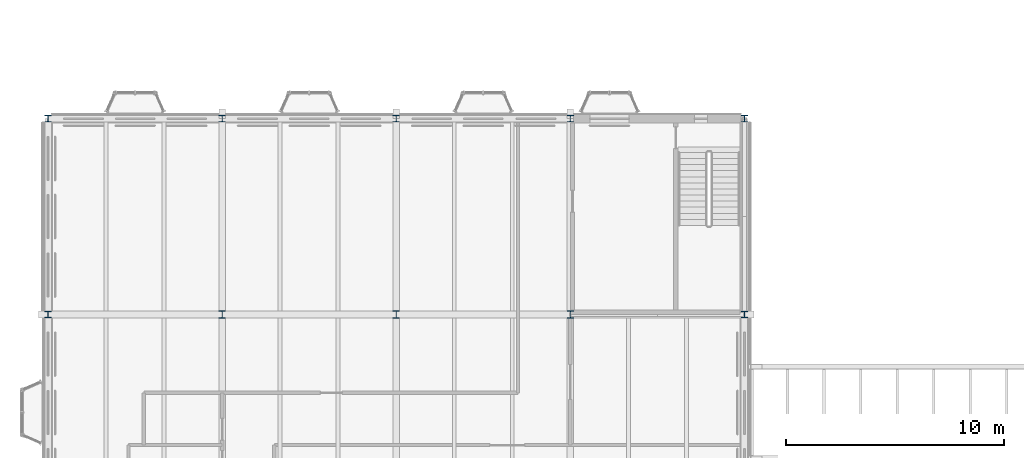
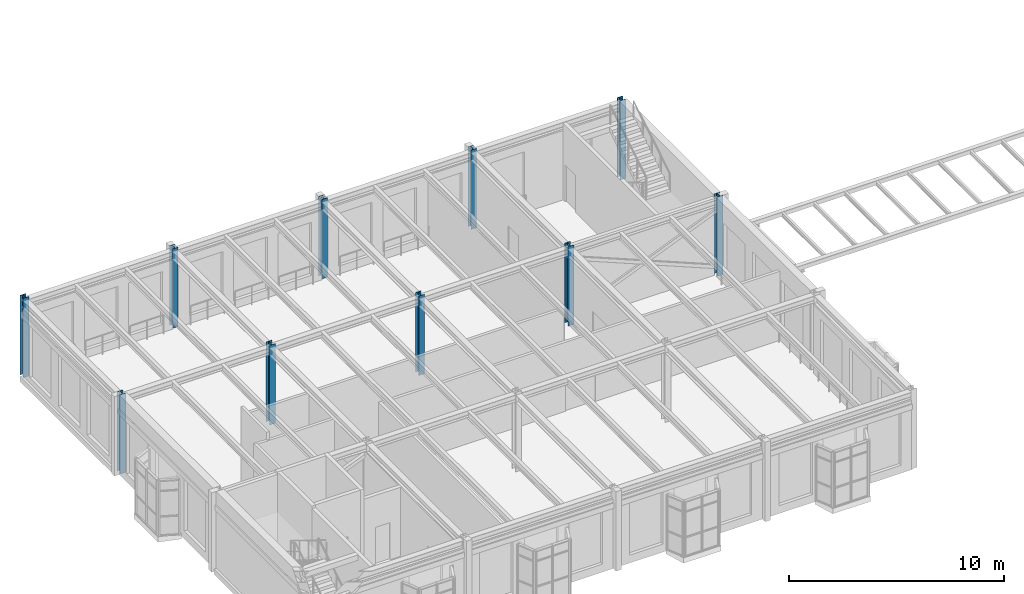
# One storey, part 9 of 153: 10 columns.
"""IFC4 building model written with IfcOpenShell, lengths in metres."""

from ifc_helpers import new_model, si_unit, direction, frame, origin, origin_2d, place, context, subcontext, project, spatial, i_section, extrude, material, material_profile, profile_set, type_object, element, save


model = new_model("IFC4")

# Units and contexts
model_context = context("Model", 3, precision=1e-05, world=origin(), true_north=direction((0.0, 1.0)))
body_context = subcontext(model_context, "Body", "Model", "MODEL_VIEW")
ifc_project = project(units=[si_unit("LENGTHUNIT", "METRE"), si_unit("AREAUNIT", "SQUARE_METRE"), si_unit("VOLUMEUNIT", "CUBIC_METRE"), si_unit("PLANEANGLEUNIT", "RADIAN"), si_unit("MASSUNIT", "GRAM", prefix="KILO")], contexts=[model_context])

# Site, building, storey
site_placement = place(None, origin())
site = spatial("IfcSite", under=ifc_project, at=site_placement, CompositionType="ELEMENT")
building_placement = place(site_placement, origin())
building = spatial("IfcBuilding", under=site, at=building_placement, Name="Kallimachos Central Library", CompositionType="ELEMENT")
storey_placement = place(building_placement, frame((0.0, 0.0, 5.39990234375)))
storey = spatial("IfcBuildingStorey", under=building, at=storey_placement, Name="L01", CompositionType="ELEMENT", Elevation=5.39990234375)

# Columns
ifc_material_1 = material(Name="Steel S355J2", Category="steel")
ifc_material_profile_1 = material_profile(ifc_material_1, i_section(OverallWidth=0.300048828125, OverallDepth=0.300048828125, WebThickness=0.010986328125, FlangeThickness=0.01904296875, FilletRadius=0.027099609375, at=origin_2d()), Name="HEB 300")
ifc_profile_set_1 = profile_set([ifc_material_profile_1], Name="Steel S355J2")
column_type_1 = type_object("IfcColumnType", Name="HEB 300 column", PredefinedType="COLUMN", material=ifc_profile_set_1)
for number, where, z_axis, x_axis, name in (
    (1, (6.0, 105.0, 0.0), (0.0, 0.0, 1.0), (1.0, 0.0, 0.0), "V2-COL-L01-003"),
    (2, (6.0, 114.0, 0.0), (0.0, 0.0, 1.0), (1.0, 0.0, 0.0), "V2-COL-L01-004"),
    (3, (14.0, 114.0, 0.0), (0.0, 0.0, 1.0), (1.0, 0.0, 0.0), "V2-COL-L01-008"),
    (4, (22.0, 114.0, 0.0), (0.0, 0.0, 1.0), (1.0, 0.0, 0.0), "V2-COL-L01-012"),
    (5, (30.0, 114.0, 0.0), (0.0, 0.0, 1.0), (1.0, 0.0, 0.0), "V2-COL-L01-016"),
    (6, (38.0, 105.0, 0.0), (0.0, 0.0, 1.0), (1.0, 0.0, 0.0), "V2-COL-L01-019"),
    (7, (38.0, 114.0, 0.0), (0.0, 0.0, 1.0), (1.0, 0.0, 0.0), "V2-COL-L01-020"),
):
    element("IfcColumn", number, at=place(storey_placement, frame(where, z_axis=z_axis, x_axis=x_axis)), inside=storey, type_object=column_type_1, Name=name, PredefinedType="COLUMN", context=body_context, shape_type="SweptSolid", body=[
        extrude(i_section(OverallWidth=0.300048828125, OverallDepth=0.300048828125, WebThickness=0.010986328125, FlangeThickness=0.01904296875, FilletRadius=0.027099609375, at=origin_2d()), origin(), (0.0, 0.0, 1.0), 4.5),
    ])
ifc_material_2 = material(Name="Steel S355J2", Category="steel")
ifc_material_profile_2 = material_profile(ifc_material_2, i_section(OverallWidth=0.300048828125, OverallDepth=0.340087890625, WebThickness=0.011962890625, FlangeThickness=0.021484375, FilletRadius=0.027099609375, at=origin_2d()), Name="HEB 340")
ifc_profile_set_2 = profile_set([ifc_material_profile_2], Name="Steel S355J2")
column_type_2 = type_object("IfcColumnType", Name="HEB 340 column", PredefinedType="COLUMN", material=ifc_profile_set_2)
for number, where, z_axis, x_axis, name in (
    (8, (14.0, 105.0, 0.0), (0.0, 0.0, 1.0), (1.0, 0.0, 0.0), "V2-COL-L01-007"),
    (9, (22.0, 105.0, 0.0), (0.0, 0.0, 1.0), (1.0, 0.0, 0.0), "V2-COL-L01-011"),
    (10, (30.0, 105.0, 0.0), (0.0, 0.0, 1.0), (1.0, 0.0, 0.0), "V2-COL-L01-015"),
):
    element("IfcColumn", number, at=place(storey_placement, frame(where, z_axis=z_axis, x_axis=x_axis)), inside=storey, type_object=column_type_2, Name=name, PredefinedType="COLUMN", context=body_context, shape_type="SweptSolid", body=[
        extrude(i_section(OverallWidth=0.300048828125, OverallDepth=0.340087890625, WebThickness=0.011962890625, FlangeThickness=0.021484375, FilletRadius=0.027099609375, at=origin_2d()), origin(), (0.0, 0.0, 1.0), 4.5),
    ])

save(model, "model.ifc")
